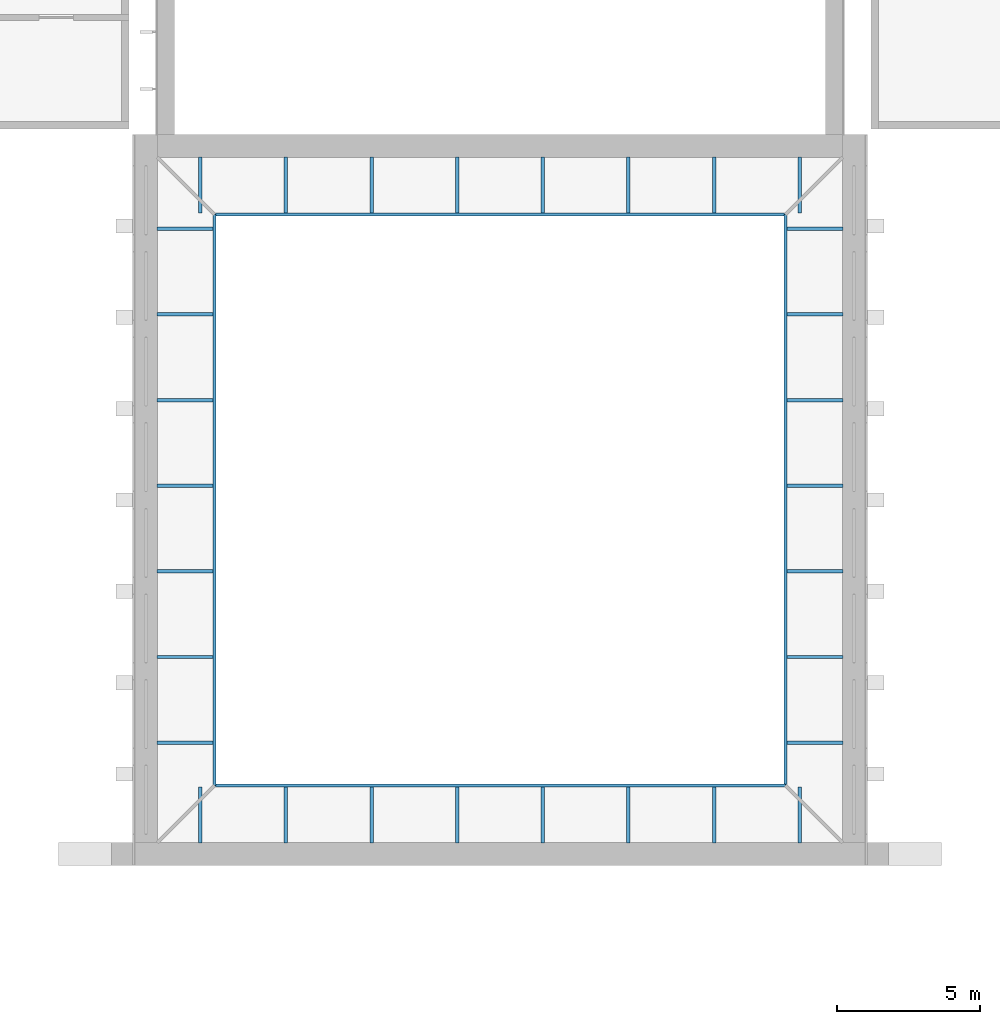
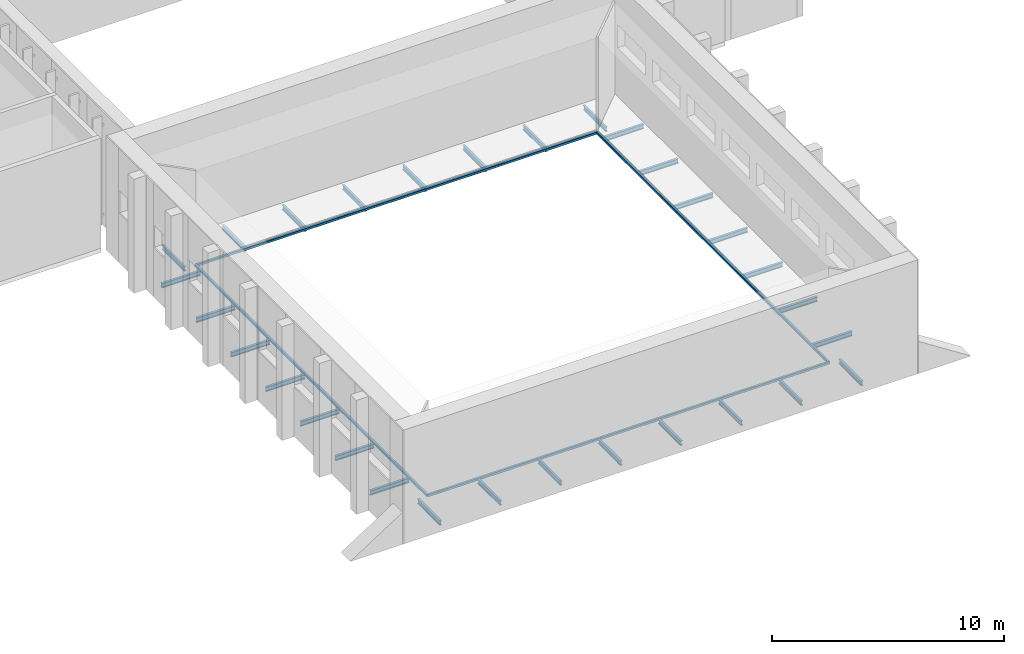
# One storey, part 9 of 22: 34 members.
"""IFC4 building model written with IfcOpenShell, lengths in metres."""

from ifc_helpers import new_model, si_unit, direction, frame, origin, origin_2d, place, context, subcontext, project, spatial, hollow_rectangle, i_section, extrude, material, material_profile, profile_set, type_object, element, save


model = new_model("IFC4")

# Units and contexts
model_context = context("Model", 3, precision=1e-05, world=origin(), true_north=direction((0.0, 1.0)))
body_context = subcontext(model_context, "Body", "Model", "MODEL_VIEW")
ifc_project = project(units=[si_unit("LENGTHUNIT", "METRE"), si_unit("AREAUNIT", "SQUARE_METRE"), si_unit("VOLUMEUNIT", "CUBIC_METRE"), si_unit("PLANEANGLEUNIT", "RADIAN"), si_unit("MASSUNIT", "GRAM", prefix="KILO")], contexts=[model_context])

# Site, building, storey
site_placement = place(None, origin())
site = spatial("IfcSite", under=ifc_project, at=site_placement, CompositionType="ELEMENT")
building_placement = place(site_placement, origin())
building = spatial("IfcBuilding", under=site, at=building_placement, Name="Lunette Opera House", CompositionType="ELEMENT")
storey_placement = place(building_placement, frame((0.0, 0.0, 28.0)))
storey = spatial("IfcBuildingStorey", under=building, at=storey_placement, Name="L05", CompositionType="ELEMENT", Elevation=28.0)

# Members
ifc_material_1 = material(Name="Steel S355", Category="steel")
ifc_material_profile_1 = material_profile(ifc_material_1, i_section(OverallWidth=0.1201171875, OverallDepth=0.239990234375, WebThickness=0.006103515625, FlangeThickness=0.009765625, FilletRadius=0.014892578125, at=origin_2d()), Name="IPE 240")
ifc_profile_set_1 = profile_set([ifc_material_profile_1], Name="Steel S355")
member_type_1 = type_object("IfcMemberType", Name="BRACKET IPE 240", PredefinedType="MEMBER", material=ifc_profile_set_1)
for number, where, z_axis, x_axis, name in (
    (1, (85.5, 95.989990234375, -0.179931640625), (0.0, 1.0, 0.0), (-1.0, 0.0, 0.0), "mem-ST-L05-FG4-BKS855-959"),
    (2, (85.5, 120.010009765625, -0.179931640625), (0.0, -1.0, 0.0), (1.0, 0.0, 0.0), "mem-ST-L05-FG4-BKN855-1200"),
    (3, (88.5, 95.989990234375, -0.179931640625), (0.0, 1.0, 0.0), (-1.0, 0.0, 0.0), "mem-ST-L05-FG4-BKS885-959"),
    (4, (88.5, 120.010009765625, -0.179931640625), (0.0, -1.0, 0.0), (1.0, 0.0, 0.0), "mem-ST-L05-FG4-BKN885-1200"),
    (5, (91.5, 95.989990234375, -0.179931640625), (0.0, 1.0, 0.0), (-1.0, 0.0, 0.0), "mem-ST-L05-FG4-BKS915-959"),
    (6, (91.5, 120.010009765625, -0.179931640625), (0.0, -1.0, 0.0), (1.0, 0.0, 0.0), "mem-ST-L05-FG4-BKN915-1200"),
    (7, (94.5, 95.989990234375, -0.179931640625), (0.0, 1.0, 0.0), (-1.0, 0.0, 0.0), "mem-ST-L05-FG4-BKS945-959"),
    (8, (94.5, 120.010009765625, -0.179931640625), (0.0, -1.0, 0.0), (1.0, 0.0, 0.0), "mem-ST-L05-FG4-BKN945-1200"),
    (9, (97.5, 95.989990234375, -0.179931640625), (0.0, 1.0, 0.0), (-1.0, 0.0, 0.0), "mem-ST-L05-FG4-BKS975-959"),
    (10, (97.5, 120.010009765625, -0.179931640625), (0.0, -1.0, 0.0), (1.0, 0.0, 0.0), "mem-ST-L05-FG4-BKN975-1200"),
    (11, (100.5, 95.989990234375, -0.179931640625), (0.0, 1.0, 0.0), (-1.0, 0.0, 0.0), "mem-ST-L05-FG4-BKS1005-959"),
    (12, (100.5, 120.010009765625, -0.179931640625), (0.0, -1.0, 0.0), (1.0, 0.0, 0.0), "mem-ST-L05-FG4-BKN1005-1200"),
    (13, (103.5, 95.989990234375, -0.179931640625), (0.0, 1.0, 0.0), (-1.0, 0.0, 0.0), "mem-ST-L05-FG4-BKS1035-959"),
    (14, (103.5, 120.010009765625, -0.179931640625), (0.0, -1.0, 0.0), (1.0, 0.0, 0.0), "mem-ST-L05-FG4-BKN1035-1200"),
    (15, (106.5, 95.989990234375, -0.179931640625), (0.0, 1.0, 0.0), (-1.0, 0.0, 0.0), "mem-ST-L05-FG4-BKS1065-959"),
    (16, (106.5, 120.010009765625, -0.179931640625), (0.0, -1.0, 0.0), (1.0, 0.0, 0.0), "mem-ST-L05-FG4-BKN1065-1200"),
    (17, (83.989990234375, 99.5, -0.179931640625), (1.0, 0.0, 0.0), (0.0, 1.0, 0.0), "mem-ST-L05-FG4-BKW839-995"),
    (18, (108.010009765625, 99.5, -0.179931640625), (-1.0, 0.0, 0.0), (0.0, -1.0, 0.0), "mem-ST-L05-FG4-BKE1080-995"),
    (19, (83.989990234375, 102.5, -0.179931640625), (1.0, 0.0, 0.0), (0.0, 1.0, 0.0), "mem-ST-L05-FG4-BKW839-1025"),
    (20, (108.010009765625, 102.5, -0.179931640625), (-1.0, 0.0, 0.0), (0.0, -1.0, 0.0), "mem-ST-L05-FG4-BKE1080-1025"),
    (21, (83.989990234375, 105.5, -0.179931640625), (1.0, 0.0, 0.0), (0.0, 1.0, 0.0), "mem-ST-L05-FG4-BKW839-1055"),
    (22, (108.010009765625, 105.5, -0.179931640625), (-1.0, 0.0, 0.0), (0.0, -1.0, 0.0), "mem-ST-L05-FG4-BKE1080-1055"),
    (23, (83.989990234375, 108.5, -0.179931640625), (1.0, 0.0, 0.0), (0.0, 1.0, 0.0), "mem-ST-L05-FG4-BKW839-1085"),
    (24, (108.010009765625, 108.5, -0.179931640625), (-1.0, 0.0, 0.0), (0.0, -1.0, 0.0), "mem-ST-L05-FG4-BKE1080-1085"),
    (25, (83.989990234375, 111.5, -0.179931640625), (1.0, 0.0, 0.0), (0.0, 1.0, 0.0), "mem-ST-L05-FG4-BKW839-1115"),
    (26, (108.010009765625, 111.5, -0.179931640625), (-1.0, 0.0, 0.0), (0.0, -1.0, 0.0), "mem-ST-L05-FG4-BKE1080-1115"),
    (27, (83.989990234375, 114.5, -0.179931640625), (1.0, 0.0, 0.0), (0.0, 1.0, 0.0), "mem-ST-L05-FG4-BKW839-1145"),
    (28, (108.010009765625, 114.5, -0.179931640625), (-1.0, 0.0, 0.0), (0.0, -1.0, 0.0), "mem-ST-L05-FG4-BKE1080-1145"),
    (29, (83.989990234375, 117.5, -0.179931640625), (1.0, 0.0, 0.0), (0.0, 1.0, 0.0), "mem-ST-L05-FG4-BKW839-1175"),
    (30, (108.010009765625, 117.5, -0.179931640625), (-1.0, 0.0, 0.0), (0.0, -1.0, 0.0), "mem-ST-L05-FG4-BKE1080-1175"),
):
    element("IfcMember", number, at=place(storey_placement, frame(where, z_axis=z_axis, x_axis=x_axis)), inside=storey, type_object=member_type_1, Name=name, PredefinedType="MEMBER", context=body_context, shape_type="SweptSolid", body=[
        extrude(i_section(OverallWidth=0.1201171875, OverallDepth=0.239990234375, WebThickness=0.006103515625, FlangeThickness=0.009765625, FilletRadius=0.014892578125, at=origin_2d()), origin(), (0.0, 0.0, 1.0), 1.949951171875),
    ])
ifc_material_2 = material(Name="Steel S355", Category="steel")
ifc_material_profile_2 = material_profile(ifc_material_2, hollow_rectangle(XDim=0.1201171875, YDim=0.1201171875, WallThickness=0.006103515625, InnerFilletRadius=0.006103515625, OuterFilletRadius=0.011962890625, at=origin_2d()), Name="RHS 120X120X6")
ifc_profile_set_2 = profile_set([ifc_material_profile_2], Name="Steel S355")
member_type_2 = type_object("IfcMemberType", Name="EDGE RHS 120X120X6", PredefinedType="MEMBER", material=ifc_profile_set_2)
for number, where, z_axis, x_axis, name in (
    (31, (86.0, 98.0, -0.1201171875), (1.0, 0.0, 0.0), (0.0, 1.0, 0.0), "mem-ST-L05-FG4-EDS"),
    (32, (86.0, 118.0, -0.1201171875), (1.0, 0.0, 0.0), (0.0, 1.0, 0.0), "mem-ST-L05-FG4-EDN"),
    (33, (86.0, 98.0, -0.1201171875), (0.0, 1.0, 0.0), (-1.0, 0.0, 0.0), "mem-ST-L05-FG4-EDW"),
    (34, (106.0, 98.0, -0.1201171875), (0.0, 1.0, 0.0), (-1.0, 0.0, 0.0), "mem-ST-L05-FG4-EDE"),
):
    element("IfcMember", number, at=place(storey_placement, frame(where, z_axis=z_axis, x_axis=x_axis)), inside=storey, type_object=member_type_2, Name=name, PredefinedType="MEMBER", context=body_context, shape_type="SweptSolid", body=[
        extrude(hollow_rectangle(XDim=0.1201171875, YDim=0.1201171875, WallThickness=0.006103515625, InnerFilletRadius=0.006103515625, OuterFilletRadius=0.011962890625, at=origin_2d()), origin(), (0.0, 0.0, 1.0), 20.0),
    ])

save(model, "model.ifc")
